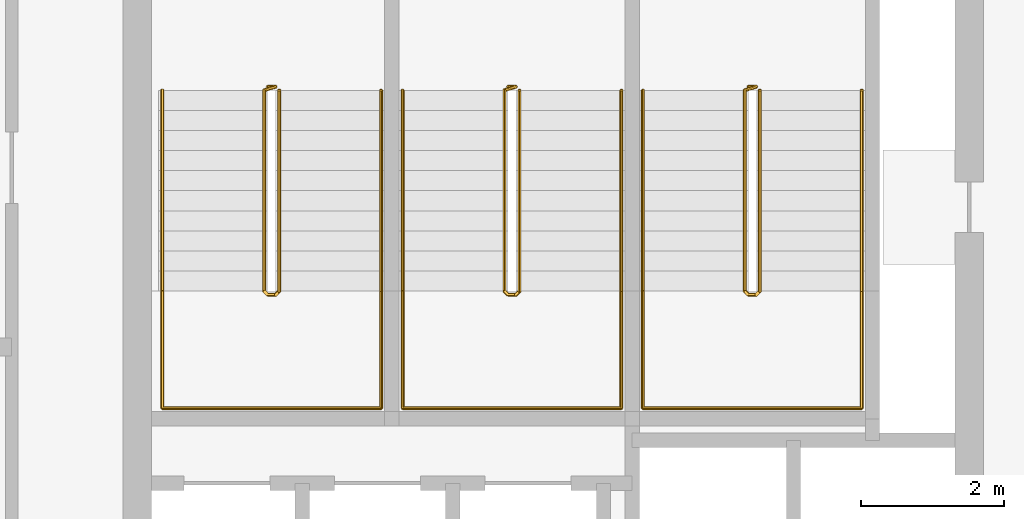
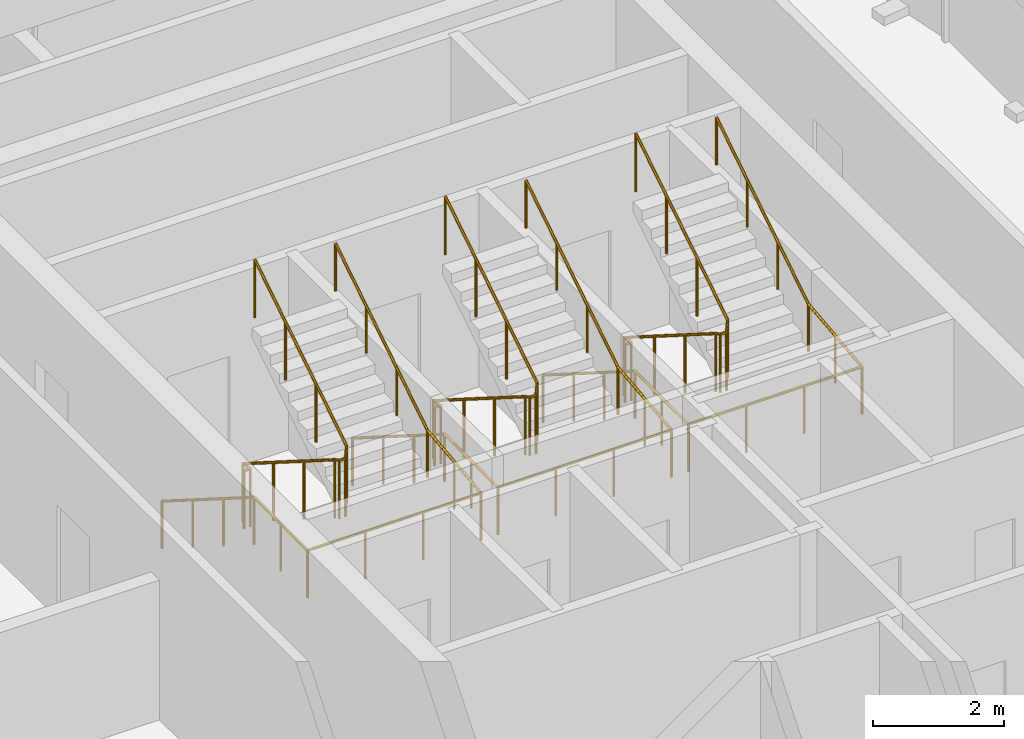
# One storey, part 10 of 10: 6 railings.
"""IFC4 building model written with IfcOpenShell, lengths in metres."""

from ifc_helpers import new_model, si_unit, direction, frame, origin, origin_2d, place, context, subcontext, project, spatial, circle, extrude, material, type_object, element, save


model = new_model("IFC4")

# Units and contexts
model_context = context("Model", 3, precision=1e-05, world=origin(), true_north=direction((0.0, 1.0)))
body_context = subcontext(model_context, "Body", "Model", "MODEL_VIEW")
ifc_project = project(units=[si_unit("LENGTHUNIT", "METRE"), si_unit("AREAUNIT", "SQUARE_METRE"), si_unit("VOLUMEUNIT", "CUBIC_METRE"), si_unit("PLANEANGLEUNIT", "RADIAN"), si_unit("MASSUNIT", "GRAM", prefix="KILO")], contexts=[model_context])

# Site, building, storey
site_placement = place(None, origin())
site = spatial("IfcSite", under=ifc_project, at=site_placement, CompositionType="ELEMENT")
building_placement = place(site_placement, origin())
building = spatial("IfcBuilding", under=site, at=building_placement, Name="Tessera Arch", CompositionType="ELEMENT")
storey_placement = place(building_placement, frame((0.0, 0.0, 265.699951171875)))
storey = spatial("IfcBuildingStorey", under=building, at=storey_placement, Name="L64", CompositionType="ELEMENT", Elevation=265.699951171875)

# Railings
ifc_material_1 = material(Name="Painted steel balustrade", Category="steel")
railing_type_1 = type_object("IfcRailingType", Name="Stair guard 1100", PredefinedType="GUARDRAIL", material=ifc_material_1)
railing_1_placement = place(storey_placement, frame((38.219970703125, 43.6298828125, 0.0)))
element("IfcRailing", 1, at=railing_1_placement, inside=storey, type_object=railing_type_1, Name="L64 S1a stair guard 1", PredefinedType="GUARDRAIL", context=body_context, shape_type="SweptSolid", body=[
    extrude(circle(Radius=0.02392578125, at=origin_2d()), frame((-0.00390625, 0.0, 1.076171875), z_axis=(1.0, 0.0, 0.0), x_axis=(0.0, 1.0, 0.0)), (0.0, 0.0, 1.0), 0.1181640625),
    extrude(circle(Radius=0.02392578125, at=origin_2d()), frame((0.11279296875, 0.000732421875, 1.0732421875), z_axis=(-0.656319048605, -0.204099216335, 0.726353093426), x_axis=(0.296948579431, -0.954893471113, 0.0)), (0.0, 0.0, 1.0), 0.251953125),
    extrude(circle(Radius=0.02392578125, at=origin_2d()), frame((-0.050048828125, -0.04638671875, 1.251220703125), z_axis=(0.0, -0.844908973607, 0.534910110503), x_axis=(1.0, 0.0, 0.0)), (0.0, 0.0, 1.0), 3.322021484375),
    extrude(circle(Radius=0.02392578125, at=origin_2d()), frame((-0.052978515625, -2.846923828125, 3.02587890625), z_axis=(0.707106781187, -0.707106781187, 0.0), x_axis=(0.707106781187, 0.707106781187, 0.0)), (0.0, 0.0, 1.0), 0.078857421875),
    extrude(circle(Radius=0.02392578125, at=origin_2d()), frame((-0.00390625, -2.89990234375, 3.02587890625), z_axis=(1.0, 0.0, 0.0), x_axis=(0.0, 1.0, 0.0)), (0.0, 0.0, 1.0), 0.1181640625),
    extrude(circle(Radius=0.02392578125, at=origin_2d()), frame((0.109130859375, -2.90087890625, 3.022216796875), z_axis=(0.260731885961, 0.262009983441, 0.929176868105), x_axis=(-0.708833529934, 0.705375805398, 0.0)), (0.0, 0.0, 1.0), 0.198974609375),
    extrude(circle(Radius=0.02392578125, at=origin_2d()), frame((0.159912109375, -2.853271484375, 3.201416015625), z_axis=(0.0, 0.844908973607, 0.534910110503), x_axis=(-1.0, 0.0, 0.0)), (0.0, 0.0, 1.0), 3.322021484375),
    extrude(circle(Radius=0.02099609375, at=origin_2d()), origin(), (0.0, 0.0, 1.0), 1.06396484375),
    extrude(circle(Radius=0.02099609375, at=origin_2d()), frame((0.110107421875, 0.0, 0.0)), (0.0, 0.0, 1.0), 1.06396484375),
    extrude(circle(Radius=0.02099609375, at=origin_2d()), frame((-0.050048828125, -0.0498046875, 0.17724609375)), (0.0, 0.0, 1.0), 1.06396484375),
    extrude(circle(Radius=0.02099609375, at=origin_2d()), frame((-0.050048828125, -0.983154296875, 0.76806640625)), (0.0, 0.0, 1.0), 1.06396484375),
    extrude(circle(Radius=0.02099609375, at=origin_2d()), frame((-0.050048828125, -1.91650390625, 1.359130859375)), (0.0, 0.0, 1.0), 1.06396484375),
    extrude(circle(Radius=0.02099609375, at=origin_2d()), frame((-0.050048828125, -2.849853515625, 1.949951171875)), (0.0, 0.0, 1.0), 1.06396484375),
    extrude(circle(Radius=0.02099609375, at=origin_2d()), frame((0.0, -2.89990234375, 1.949951171875)), (0.0, 0.0, 1.0), 1.06396484375),
    extrude(circle(Radius=0.02099609375, at=origin_2d()), frame((0.110107421875, -2.89990234375, 1.949951171875)), (0.0, 0.0, 1.0), 1.06396484375),
    extrude(circle(Radius=0.02099609375, at=origin_2d()), frame((0.159912109375, -2.849853515625, 2.12744140625)), (0.0, 0.0, 1.0), 1.06396484375),
    extrude(circle(Radius=0.02099609375, at=origin_2d()), frame((0.159912109375, -1.91650390625, 2.71826171875)), (0.0, 0.0, 1.0), 1.06396484375),
    extrude(circle(Radius=0.02099609375, at=origin_2d()), frame((0.159912109375, -0.983154296875, 3.309326171875)), (0.0, 0.0, 1.0), 1.06396484375),
    extrude(circle(Radius=0.02099609375, at=origin_2d()), frame((0.159912109375, -0.0498046875, 3.900146484375)), (0.0, 0.0, 1.0), 1.06396484375),
])
railing_2_placement = place(storey_placement, frame((41.570068359375, 43.6298828125, 0.0)))
element("IfcRailing", 2, at=railing_2_placement, inside=storey, type_object=railing_type_1, Name="L64 S1b stair guard 1", PredefinedType="GUARDRAIL", context=body_context, shape_type="SweptSolid", body=[
    extrude(circle(Radius=0.02392578125, at=origin_2d()), frame((-0.00390625, 0.0, 1.076171875), z_axis=(1.0, 0.0, 0.0), x_axis=(0.0, 1.0, 0.0)), (0.0, 0.0, 1.0), 0.117919921875),
    extrude(circle(Radius=0.02392578125, at=origin_2d()), frame((0.112548828125, 0.000732421875, 1.0732421875), z_axis=(-0.65574896516, -0.204233265485, 0.726830150696), x_axis=(0.297361876254, -0.954764847777, 0.0)), (0.0, 0.0, 1.0), 0.251953125),
    extrude(circle(Radius=0.02392578125, at=origin_2d()), frame((-0.050048828125, -0.04638671875, 1.251220703125), z_axis=(0.0, -0.844908973607, 0.534910110503), x_axis=(1.0, 0.0, 0.0)), (0.0, 0.0, 1.0), 3.322021484375),
    extrude(circle(Radius=0.02392578125, at=origin_2d()), frame((-0.052978515625, -2.846923828125, 3.02587890625), z_axis=(0.707106781187, -0.707106781187, 0.0), x_axis=(0.707106781187, 0.707106781187, 0.0)), (0.0, 0.0, 1.0), 0.078857421875),
    extrude(circle(Radius=0.02392578125, at=origin_2d()), frame((-0.00390625, -2.89990234375, 3.02587890625), z_axis=(1.0, 0.0, 0.0), x_axis=(0.0, 1.0, 0.0)), (0.0, 0.0, 1.0), 0.117919921875),
    extrude(circle(Radius=0.02392578125, at=origin_2d()), frame((0.10888671875, -2.90087890625, 3.022216796875), z_axis=(0.261922500866, 0.261922500866, 0.928866625022), x_axis=(-0.707106781187, 0.707106781187, 0.0)), (0.0, 0.0, 1.0), 0.198974609375),
    extrude(circle(Radius=0.02392578125, at=origin_2d()), frame((0.159912109375, -2.853271484375, 3.201416015625), z_axis=(0.0, 0.844908973607, 0.534910110503), x_axis=(-1.0, 0.0, 0.0)), (0.0, 0.0, 1.0), 3.322021484375),
    extrude(circle(Radius=0.02099609375, at=origin_2d()), origin(), (0.0, 0.0, 1.0), 1.06396484375),
    extrude(circle(Radius=0.02099609375, at=origin_2d()), frame((0.10986328125, 0.0, 0.0)), (0.0, 0.0, 1.0), 1.06396484375),
    extrude(circle(Radius=0.02099609375, at=origin_2d()), frame((-0.050048828125, -0.0498046875, 0.17724609375)), (0.0, 0.0, 1.0), 1.06396484375),
    extrude(circle(Radius=0.02099609375, at=origin_2d()), frame((-0.050048828125, -0.983154296875, 0.76806640625)), (0.0, 0.0, 1.0), 1.06396484375),
    extrude(circle(Radius=0.02099609375, at=origin_2d()), frame((-0.050048828125, -1.91650390625, 1.359130859375)), (0.0, 0.0, 1.0), 1.06396484375),
    extrude(circle(Radius=0.02099609375, at=origin_2d()), frame((-0.050048828125, -2.849853515625, 1.949951171875)), (0.0, 0.0, 1.0), 1.06396484375),
    extrude(circle(Radius=0.02099609375, at=origin_2d()), frame((0.0, -2.89990234375, 1.949951171875)), (0.0, 0.0, 1.0), 1.06396484375),
    extrude(circle(Radius=0.02099609375, at=origin_2d()), frame((0.10986328125, -2.89990234375, 1.949951171875)), (0.0, 0.0, 1.0), 1.06396484375),
    extrude(circle(Radius=0.02099609375, at=origin_2d()), frame((0.159912109375, -2.849853515625, 2.12744140625)), (0.0, 0.0, 1.0), 1.06396484375),
    extrude(circle(Radius=0.02099609375, at=origin_2d()), frame((0.159912109375, -1.91650390625, 2.71826171875)), (0.0, 0.0, 1.0), 1.06396484375),
    extrude(circle(Radius=0.02099609375, at=origin_2d()), frame((0.159912109375, -0.983154296875, 3.309326171875)), (0.0, 0.0, 1.0), 1.06396484375),
    extrude(circle(Radius=0.02099609375, at=origin_2d()), frame((0.159912109375, -0.0498046875, 3.900146484375)), (0.0, 0.0, 1.0), 1.06396484375),
])
railing_3_placement = place(storey_placement, frame((44.919921875, 43.6298828125, 0.0)))
element("IfcRailing", 3, at=railing_3_placement, inside=storey, type_object=railing_type_1, Name="L64 S1c stair guard 1", PredefinedType="GUARDRAIL", context=body_context, shape_type="SweptSolid", body=[
    extrude(circle(Radius=0.02392578125, at=origin_2d()), frame((-0.00390625, 0.0, 1.076171875), z_axis=(1.0, 0.0, 0.0), x_axis=(0.0, 1.0, 0.0)), (0.0, 0.0, 1.0), 0.1181640625),
    extrude(circle(Radius=0.02392578125, at=origin_2d()), frame((0.11279296875, 0.000732421875, 1.0732421875), z_axis=(-0.65574896516, -0.204233265485, 0.726830150696), x_axis=(0.297361876254, -0.954764847777, 0.0)), (0.0, 0.0, 1.0), 0.251953125),
    extrude(circle(Radius=0.02392578125, at=origin_2d()), frame((-0.0498046875, -0.04638671875, 1.251220703125), z_axis=(0.0, -0.844908973607, 0.534910110503), x_axis=(1.0, 0.0, 0.0)), (0.0, 0.0, 1.0), 3.322021484375),
    extrude(circle(Radius=0.02392578125, at=origin_2d()), frame((-0.052734375, -2.846923828125, 3.02587890625), z_axis=(0.705375805398, -0.708833529934, 0.0), x_axis=(0.708833529934, 0.705375805398, 0.0)), (0.0, 0.0, 1.0), 0.07861328125),
    extrude(circle(Radius=0.02392578125, at=origin_2d()), frame((-0.00390625, -2.89990234375, 3.02587890625), z_axis=(1.0, 0.0, 0.0), x_axis=(0.0, 1.0, 0.0)), (0.0, 0.0, 1.0), 0.1181640625),
    extrude(circle(Radius=0.02392578125, at=origin_2d()), frame((0.109130859375, -2.90087890625, 3.022216796875), z_axis=(0.261922500866, 0.261922500866, 0.928866625022), x_axis=(-0.707106781187, 0.707106781187, 0.0)), (0.0, 0.0, 1.0), 0.198974609375),
    extrude(circle(Radius=0.02392578125, at=origin_2d()), frame((0.16015625, -2.853271484375, 3.201416015625), z_axis=(0.0, 0.844908973607, 0.534910110503), x_axis=(-1.0, 0.0, 0.0)), (0.0, 0.0, 1.0), 3.322021484375),
    extrude(circle(Radius=0.02099609375, at=origin_2d()), origin(), (0.0, 0.0, 1.0), 1.06396484375),
    extrude(circle(Radius=0.02099609375, at=origin_2d()), frame((0.110107421875, 0.0, 0.0)), (0.0, 0.0, 1.0), 1.06396484375),
    extrude(circle(Radius=0.02099609375, at=origin_2d()), frame((-0.0498046875, -0.0498046875, 0.17724609375)), (0.0, 0.0, 1.0), 1.06396484375),
    extrude(circle(Radius=0.02099609375, at=origin_2d()), frame((-0.0498046875, -0.983154296875, 0.76806640625)), (0.0, 0.0, 1.0), 1.06396484375),
    extrude(circle(Radius=0.02099609375, at=origin_2d()), frame((-0.0498046875, -1.91650390625, 1.359130859375)), (0.0, 0.0, 1.0), 1.06396484375),
    extrude(circle(Radius=0.02099609375, at=origin_2d()), frame((-0.0498046875, -2.849853515625, 1.949951171875)), (0.0, 0.0, 1.0), 1.06396484375),
    extrude(circle(Radius=0.02099609375, at=origin_2d()), frame((0.0, -2.89990234375, 1.949951171875)), (0.0, 0.0, 1.0), 1.06396484375),
    extrude(circle(Radius=0.02099609375, at=origin_2d()), frame((0.110107421875, -2.89990234375, 1.949951171875)), (0.0, 0.0, 1.0), 1.06396484375),
    extrude(circle(Radius=0.02099609375, at=origin_2d()), frame((0.16015625, -2.849853515625, 2.12744140625)), (0.0, 0.0, 1.0), 1.06396484375),
    extrude(circle(Radius=0.02099609375, at=origin_2d()), frame((0.16015625, -1.91650390625, 2.71826171875)), (0.0, 0.0, 1.0), 1.06396484375),
    extrude(circle(Radius=0.02099609375, at=origin_2d()), frame((0.16015625, -0.983154296875, 3.309326171875)), (0.0, 0.0, 1.0), 1.06396484375),
    extrude(circle(Radius=0.02099609375, at=origin_2d()), frame((0.16015625, -0.0498046875, 3.900146484375)), (0.0, 0.0, 1.0), 1.06396484375),
])
ifc_material_2 = material(Name="Painted steel handrail", Category="steel")
railing_type_2 = type_object("IfcRailingType", Name="Stair handrail 900", PredefinedType="HANDRAIL", material=ifc_material_2)
railing_4_placement = place(storey_placement, frame((36.75, 43.580078125, 0.17724609375)))
element("IfcRailing", 4, at=railing_4_placement, inside=storey, type_object=railing_type_2, Name="L64 S1a stair handrail", PredefinedType="HANDRAIL", context=body_context, shape_type="SweptSolid", body=[
    extrude(circle(Radius=0.02392578125, at=origin_2d()), frame((0.0, 0.00341796875, 0.873779296875), z_axis=(0.0, -0.844908973607, 0.534910110503), x_axis=(1.0, 0.0, 0.0)), (0.0, 0.0, 1.0), 3.322021484375),
    extrude(circle(Radius=0.02392578125, at=origin_2d()), frame((0.0, -2.796142578125, 2.6484375), z_axis=(0.0, -1.0, 0.0), x_axis=(1.0, 0.0, 0.0)), (0.0, 0.0, 1.0), 1.63818359375),
    extrude(circle(Radius=0.02392578125, at=origin_2d()), frame((-0.00390625, -4.43017578125, 2.6484375), z_axis=(1.0, 0.0, 0.0), x_axis=(0.0, 1.0, 0.0)), (0.0, 0.0, 1.0), 3.05810546875),
    extrude(circle(Radius=0.02392578125, at=origin_2d()), frame((3.050048828125, -4.43408203125, 2.648193359375), z_axis=(0.0, 0.994124627078, 0.108241516233), x_axis=(-1.0, 0.0, 0.0)), (0.0, 0.0, 1.0), 1.647705078125),
    extrude(circle(Radius=0.02392578125, at=origin_2d()), frame((3.050048828125, -2.803466796875, 2.823974609375), z_axis=(0.0, 0.844908973607, 0.534910110503), x_axis=(-1.0, 0.0, 0.0)), (0.0, 0.0, 1.0), 3.322021484375),
    extrude(circle(Radius=0.02099609375, at=origin_2d()), origin(), (0.0, 0.0, 1.0), 0.86376953125),
    extrude(circle(Radius=0.02099609375, at=origin_2d()), frame((0.0, -0.933349609375, 0.5908203125)), (0.0, 0.0, 1.0), 0.86376953125),
    extrude(circle(Radius=0.02099609375, at=origin_2d()), frame((0.0, -1.86669921875, 1.181884765625)), (0.0, 0.0, 1.0), 0.86376953125),
    extrude(circle(Radius=0.02099609375, at=origin_2d()), frame((0.0, -2.800048828125, 1.772705078125)), (0.0, 0.0, 1.0), 0.86376953125),
    extrude(circle(Radius=0.02099609375, at=origin_2d()), frame((0.0, -3.615234375, 1.772705078125)), (0.0, 0.0, 1.0), 0.86376953125),
    extrude(circle(Radius=0.02099609375, at=origin_2d()), frame((0.0, -4.43017578125, 1.772705078125)), (0.0, 0.0, 1.0), 0.86376953125),
    extrude(circle(Radius=0.02099609375, at=origin_2d()), frame((1.0166015625, -4.43017578125, 1.772705078125)), (0.0, 0.0, 1.0), 0.86376953125),
    extrude(circle(Radius=0.02099609375, at=origin_2d()), frame((2.033447265625, -4.43017578125, 1.772705078125)), (0.0, 0.0, 1.0), 0.86376953125),
    extrude(circle(Radius=0.02099609375, at=origin_2d()), frame((3.050048828125, -4.43017578125, 1.772705078125)), (0.0, 0.0, 1.0), 0.86376953125),
    extrude(circle(Radius=0.02099609375, at=origin_2d()), frame((3.050048828125, -3.615234375, 1.861328125)), (0.0, 0.0, 1.0), 0.86376953125),
    extrude(circle(Radius=0.02099609375, at=origin_2d()), frame((3.050048828125, -2.800048828125, 1.9501953125)), (0.0, 0.0, 1.0), 0.86376953125),
    extrude(circle(Radius=0.02099609375, at=origin_2d()), frame((3.050048828125, -1.86669921875, 2.541015625)), (0.0, 0.0, 1.0), 0.86376953125),
    extrude(circle(Radius=0.02099609375, at=origin_2d()), frame((3.050048828125, -0.933349609375, 3.132080078125)), (0.0, 0.0, 1.0), 0.86376953125),
    extrude(circle(Radius=0.02099609375, at=origin_2d()), frame((3.050048828125, 0.0, 3.722900390625)), (0.0, 0.0, 1.0), 0.86376953125),
])
railing_5_placement = place(storey_placement, frame((40.10009765625, 43.580078125, 0.17724609375)))
element("IfcRailing", 5, at=railing_5_placement, inside=storey, type_object=railing_type_2, Name="L64 S1b stair handrail", PredefinedType="HANDRAIL", context=body_context, shape_type="SweptSolid", body=[
    extrude(circle(Radius=0.02392578125, at=origin_2d()), frame((0.0, 0.00341796875, 0.873779296875), z_axis=(0.0, -0.844908973607, 0.534910110503), x_axis=(1.0, 0.0, 0.0)), (0.0, 0.0, 1.0), 3.322021484375),
    extrude(circle(Radius=0.02392578125, at=origin_2d()), frame((0.0, -2.796142578125, 2.6484375), z_axis=(0.0, -1.0, 0.0), x_axis=(1.0, 0.0, 0.0)), (0.0, 0.0, 1.0), 1.63818359375),
    extrude(circle(Radius=0.02392578125, at=origin_2d()), frame((-0.00390625, -4.43017578125, 2.6484375), z_axis=(1.0, 0.0, 0.0), x_axis=(0.0, 1.0, 0.0)), (0.0, 0.0, 1.0), 3.057861328125),
    extrude(circle(Radius=0.02392578125, at=origin_2d()), frame((3.0498046875, -4.43408203125, 2.648193359375), z_axis=(0.0, 0.994124627078, 0.108241516233), x_axis=(-1.0, 0.0, 0.0)), (0.0, 0.0, 1.0), 1.647705078125),
    extrude(circle(Radius=0.02392578125, at=origin_2d()), frame((3.0498046875, -2.803466796875, 2.823974609375), z_axis=(0.0, 0.844908973607, 0.534910110503), x_axis=(-1.0, 0.0, 0.0)), (0.0, 0.0, 1.0), 3.322021484375),
    extrude(circle(Radius=0.02099609375, at=origin_2d()), origin(), (0.0, 0.0, 1.0), 0.86376953125),
    extrude(circle(Radius=0.02099609375, at=origin_2d()), frame((0.0, -0.933349609375, 0.5908203125)), (0.0, 0.0, 1.0), 0.86376953125),
    extrude(circle(Radius=0.02099609375, at=origin_2d()), frame((0.0, -1.86669921875, 1.181884765625)), (0.0, 0.0, 1.0), 0.86376953125),
    extrude(circle(Radius=0.02099609375, at=origin_2d()), frame((0.0, -2.800048828125, 1.772705078125)), (0.0, 0.0, 1.0), 0.86376953125),
    extrude(circle(Radius=0.02099609375, at=origin_2d()), frame((0.0, -3.615234375, 1.772705078125)), (0.0, 0.0, 1.0), 0.86376953125),
    extrude(circle(Radius=0.02099609375, at=origin_2d()), frame((0.0, -4.43017578125, 1.772705078125)), (0.0, 0.0, 1.0), 0.86376953125),
    extrude(circle(Radius=0.02099609375, at=origin_2d()), frame((1.0166015625, -4.43017578125, 1.772705078125)), (0.0, 0.0, 1.0), 0.86376953125),
    extrude(circle(Radius=0.02099609375, at=origin_2d()), frame((2.033203125, -4.43017578125, 1.772705078125)), (0.0, 0.0, 1.0), 0.86376953125),
    extrude(circle(Radius=0.02099609375, at=origin_2d()), frame((3.0498046875, -4.43017578125, 1.772705078125)), (0.0, 0.0, 1.0), 0.86376953125),
    extrude(circle(Radius=0.02099609375, at=origin_2d()), frame((3.0498046875, -3.615234375, 1.861328125)), (0.0, 0.0, 1.0), 0.86376953125),
    extrude(circle(Radius=0.02099609375, at=origin_2d()), frame((3.0498046875, -2.800048828125, 1.9501953125)), (0.0, 0.0, 1.0), 0.86376953125),
    extrude(circle(Radius=0.02099609375, at=origin_2d()), frame((3.0498046875, -1.86669921875, 2.541015625)), (0.0, 0.0, 1.0), 0.86376953125),
    extrude(circle(Radius=0.02099609375, at=origin_2d()), frame((3.0498046875, -0.933349609375, 3.132080078125)), (0.0, 0.0, 1.0), 0.86376953125),
    extrude(circle(Radius=0.02099609375, at=origin_2d()), frame((3.0498046875, 0.0, 3.722900390625)), (0.0, 0.0, 1.0), 0.86376953125),
])
railing_6_placement = place(storey_placement, frame((43.449951171875, 43.580078125, 0.17724609375)))
element("IfcRailing", 6, at=railing_6_placement, inside=storey, type_object=railing_type_2, Name="L64 S1c stair handrail", PredefinedType="HANDRAIL", context=body_context, shape_type="SweptSolid", body=[
    extrude(circle(Radius=0.02392578125, at=origin_2d()), frame((0.0, 0.00341796875, 0.873779296875), z_axis=(0.0, -0.844908973607, 0.534910110503), x_axis=(1.0, 0.0, 0.0)), (0.0, 0.0, 1.0), 3.322021484375),
    extrude(circle(Radius=0.02392578125, at=origin_2d()), frame((0.0, -2.796142578125, 2.6484375), z_axis=(0.0, -1.0, 0.0), x_axis=(1.0, 0.0, 0.0)), (0.0, 0.0, 1.0), 1.63818359375),
    extrude(circle(Radius=0.02392578125, at=origin_2d()), frame((-0.00390625, -4.43017578125, 2.6484375), z_axis=(1.0, 0.0, 0.0), x_axis=(0.0, 1.0, 0.0)), (0.0, 0.0, 1.0), 3.05810546875),
    extrude(circle(Radius=0.02392578125, at=origin_2d()), frame((3.050048828125, -4.43408203125, 2.648193359375), z_axis=(0.0, 0.994124627078, 0.108241516233), x_axis=(-1.0, 0.0, 0.0)), (0.0, 0.0, 1.0), 1.647705078125),
    extrude(circle(Radius=0.02392578125, at=origin_2d()), frame((3.050048828125, -2.803466796875, 2.823974609375), z_axis=(0.0, 0.844908973607, 0.534910110503), x_axis=(-1.0, 0.0, 0.0)), (0.0, 0.0, 1.0), 3.322021484375),
    extrude(circle(Radius=0.02099609375, at=origin_2d()), origin(), (0.0, 0.0, 1.0), 0.86376953125),
    extrude(circle(Radius=0.02099609375, at=origin_2d()), frame((0.0, -0.933349609375, 0.5908203125)), (0.0, 0.0, 1.0), 0.86376953125),
    extrude(circle(Radius=0.02099609375, at=origin_2d()), frame((0.0, -1.86669921875, 1.181884765625)), (0.0, 0.0, 1.0), 0.86376953125),
    extrude(circle(Radius=0.02099609375, at=origin_2d()), frame((0.0, -2.800048828125, 1.772705078125)), (0.0, 0.0, 1.0), 0.86376953125),
    extrude(circle(Radius=0.02099609375, at=origin_2d()), frame((0.0, -3.615234375, 1.772705078125)), (0.0, 0.0, 1.0), 0.86376953125),
    extrude(circle(Radius=0.02099609375, at=origin_2d()), frame((0.0, -4.43017578125, 1.772705078125)), (0.0, 0.0, 1.0), 0.86376953125),
    extrude(circle(Radius=0.02099609375, at=origin_2d()), frame((1.0166015625, -4.43017578125, 1.772705078125)), (0.0, 0.0, 1.0), 0.86376953125),
    extrude(circle(Radius=0.02099609375, at=origin_2d()), frame((2.033447265625, -4.43017578125, 1.772705078125)), (0.0, 0.0, 1.0), 0.86376953125),
    extrude(circle(Radius=0.02099609375, at=origin_2d()), frame((3.050048828125, -4.43017578125, 1.772705078125)), (0.0, 0.0, 1.0), 0.86376953125),
    extrude(circle(Radius=0.02099609375, at=origin_2d()), frame((3.050048828125, -3.615234375, 1.861328125)), (0.0, 0.0, 1.0), 0.86376953125),
    extrude(circle(Radius=0.02099609375, at=origin_2d()), frame((3.050048828125, -2.800048828125, 1.9501953125)), (0.0, 0.0, 1.0), 0.86376953125),
    extrude(circle(Radius=0.02099609375, at=origin_2d()), frame((3.050048828125, -1.86669921875, 2.541015625)), (0.0, 0.0, 1.0), 0.86376953125),
    extrude(circle(Radius=0.02099609375, at=origin_2d()), frame((3.050048828125, -0.933349609375, 3.132080078125)), (0.0, 0.0, 1.0), 0.86376953125),
    extrude(circle(Radius=0.02099609375, at=origin_2d()), frame((3.050048828125, 0.0, 3.722900390625)), (0.0, 0.0, 1.0), 0.86376953125),
])

save(model, "model.ifc")
